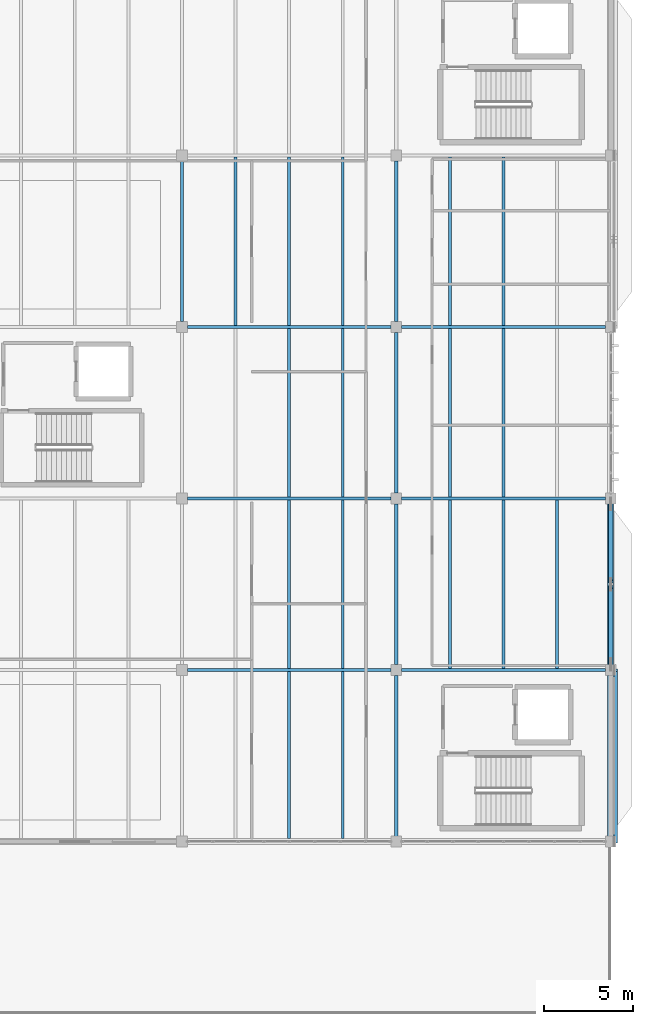
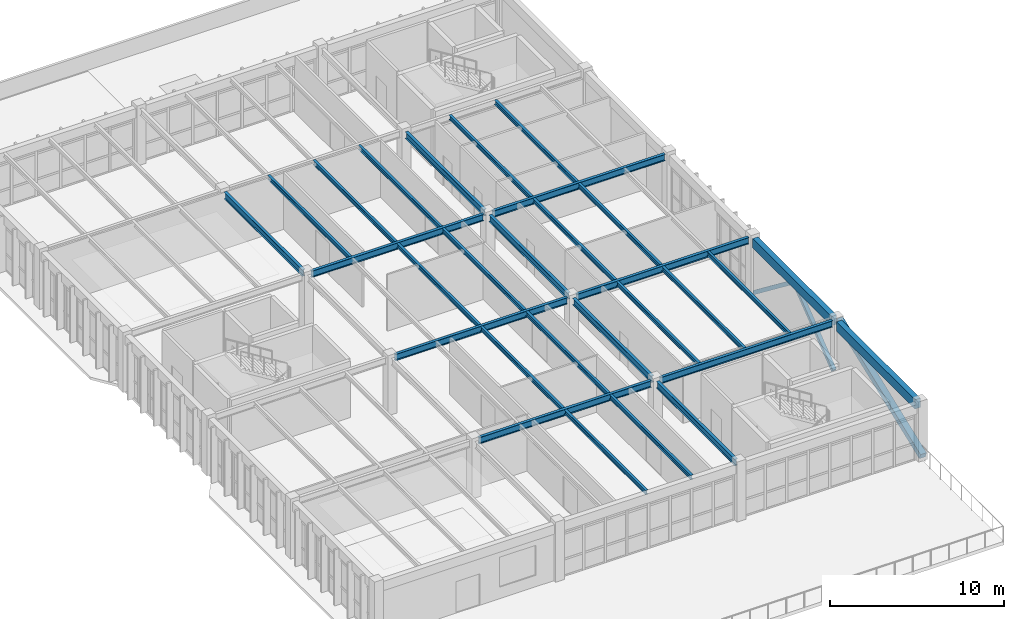
# One storey, part 13 of 37: 29 beams, 3 members.
"""IFC4 building model written with IfcOpenShell, lengths in metres."""

from ifc_helpers import new_model, si_unit, direction, frame, origin, origin_2d, place, context, subcontext, project, spatial, rectangle, hollow_rectangle, i_section, extrude, material, material_profile, profile_set, type_object, element, save


model = new_model("IFC4")

# Units and contexts
model_context = context("Model", 3, precision=1e-05, world=origin(), true_north=direction((0.0, 1.0)))
body_context = subcontext(model_context, "Body", "Model", "MODEL_VIEW")
ifc_project = project(units=[si_unit("LENGTHUNIT", "METRE"), si_unit("AREAUNIT", "SQUARE_METRE"), si_unit("VOLUMEUNIT", "CUBIC_METRE"), si_unit("PLANEANGLEUNIT", "RADIAN"), si_unit("MASSUNIT", "GRAM", prefix="KILO")], contexts=[model_context])

# Site, building, storey
site_placement = place(None, origin())
site = spatial("IfcSite", under=ifc_project, at=site_placement, CompositionType="ELEMENT")
building_placement = place(site_placement, origin())
building = spatial("IfcBuilding", under=site, at=building_placement, Name="Pandanus Reach Market Hall", CompositionType="ELEMENT")
storey_placement = place(building_placement, frame((0.0, 0.0, 14.39990234375)))
storey = spatial("IfcBuildingStorey", under=building, at=storey_placement, Name="L03", CompositionType="ELEMENT", Elevation=14.39990234375)

# Beams
ifc_material_1 = material(Name="Concrete N40 (40 MPa)", Category="concrete")
ifc_material_profile_1 = material_profile(ifc_material_1, rectangle(XDim=0.35009765625, YDim=0.64990234375, at=origin_2d()), Name="RC350x650", Category="LoadBearing")
ifc_profile_set_1 = profile_set([ifc_material_profile_1], Name="Concrete N40 (40 MPa)")
beam_type_1 = type_object("IfcBeamType", Name="BM-RC350-E", PredefinedType="SPANDREL", material=ifc_profile_set_1)
beam_1_placement = place(storey_placement, frame((180.0, 29.097900390625, 3.635009765625), z_axis=(0.0, 1.0, 0.0), x_axis=(-1.0, 0.0, 0.0)))
element("IfcBeam", 1, at=beam_1_placement, inside=storey, type_object=beam_type_1, Name="Framing beam BM-RC350-E L03.569", PredefinedType="SPANDREL", context=body_context, shape_type="SweptSolid", body=[
    extrude(rectangle(XDim=0.35009765625, YDim=0.64990234375, at=origin_2d()), origin(), (0.0, 0.0, 1.0), 9.004150390625),
])
beam_2_placement = place(storey_placement, frame((180.0, 38.697998046875, 3.635009765625), z_axis=(0.0, 1.0, 0.0), x_axis=(-1.0, 0.0, 0.0)))
element("IfcBeam", 2, at=beam_2_placement, inside=storey, type_object=beam_type_1, Name="Framing beam BM-RC350-E L03.570", PredefinedType="SPANDREL", context=body_context, shape_type="SweptSolid", body=[
    extrude(rectangle(XDim=0.35009765625, YDim=0.64990234375, at=origin_2d()), origin(), (0.0, 0.0, 1.0), 9.00390625),
])
ifc_material_2 = material(Name="Steel Grade 350 (350 MPa)", Category="steel")
ifc_material_profile_2 = material_profile(ifc_material_2, i_section(OverallWidth=0.18994140625, OverallDepth=0.45703125, WebThickness=0.009033203125, FlangeThickness=0.014404296875, at=origin_2d()), Name="460UB74.6", Category="LoadBearing")
ifc_profile_set_2 = profile_set([ifc_material_profile_2], Name="Steel Grade 350 (350 MPa)")
beam_type_2 = type_object("IfcBeamType", Name="BM-UB460-I", PredefinedType="BEAM", material=ifc_profile_set_2)
for number, where, z_axis, x_axis, name in (
    (3, (156.298095703125, 38.39990234375, 3.731201171875), (1.0, 0.0, 0.0), (0.0, 1.0, 0.0), "Framing beam BM-UB460-I L03.540"),
    (4, (168.298095703125, 38.39990234375, 3.731201171875), (1.0, 0.0, 0.0), (0.0, 1.0, 0.0), "Framing beam BM-UB460-I L03.541"),
    (5, (156.298095703125, 48.0, 3.731201171875), (1.0, 0.0, 0.0), (0.0, 1.0, 0.0), "Framing beam BM-UB460-I L03.543"),
    (6, (168.298095703125, 48.0, 3.731201171875), (1.0, 0.0, 0.0), (0.0, 1.0, 0.0), "Framing beam BM-UB460-I L03.544"),
    (7, (156.298095703125, 57.60009765625, 3.731201171875), (1.0, 0.0, 0.0), (0.0, 1.0, 0.0), "Framing beam BM-UB460-I L03.546"),
    (8, (168.298095703125, 57.60009765625, 3.731201171875), (1.0, 0.0, 0.0), (0.0, 1.0, 0.0), "Framing beam BM-UB460-I L03.547"),
):
    element("IfcBeam", number, at=place(storey_placement, frame(where, z_axis=z_axis, x_axis=x_axis)), inside=storey, type_object=beam_type_2, Name=name, PredefinedType="BEAM", context=body_context, shape_type="SweptSolid", body=[
        extrude(i_section(OverallWidth=0.18994140625, OverallDepth=0.45703125, WebThickness=0.009033203125, FlangeThickness=0.014404296875, at=origin_2d()), origin(), (0.0, 0.0, 1.0), 11.40380859375),
    ])
for number, where, z_axis, x_axis, name in (
    (9, (156.0, 57.89794921875, 3.726318359375), (0.0, 1.0, 0.0), (-1.0, 0.0, 0.0), "Framing beam BM-UB460-I L03.562"),
    (10, (168.0, 29.097900390625, 3.731201171875), (0.0, 1.0, 0.0), (-1.0, 0.0, 0.0), "Framing beam BM-UB460-I L03.564"),
):
    element("IfcBeam", number, at=place(storey_placement, frame(where, z_axis=z_axis, x_axis=x_axis)), inside=storey, type_object=beam_type_2, Name=name, PredefinedType="BEAM", context=body_context, shape_type="SweptSolid", body=[
        extrude(i_section(OverallWidth=0.18994140625, OverallDepth=0.45703125, WebThickness=0.009033203125, FlangeThickness=0.014404296875, at=origin_2d()), origin(), (0.0, 0.0, 1.0), 9.004150390625),
    ])
for number, where, z_axis, x_axis, name in (
    (11, (168.0, 38.697998046875, 3.731201171875), (0.0, 1.0, 0.0), (-1.0, 0.0, 0.0), "Framing beam BM-UB460-I L03.565"),
    (12, (168.0, 48.298095703125, 3.731201171875), (0.0, 1.0, 0.0), (-1.0, 0.0, 0.0), "Framing beam BM-UB460-I L03.566"),
):
    element("IfcBeam", number, at=place(storey_placement, frame(where, z_axis=z_axis, x_axis=x_axis)), inside=storey, type_object=beam_type_2, Name=name, PredefinedType="BEAM", context=body_context, shape_type="SweptSolid", body=[
        extrude(i_section(OverallWidth=0.18994140625, OverallDepth=0.45703125, WebThickness=0.009033203125, FlangeThickness=0.014404296875, at=origin_2d()), origin(), (0.0, 0.0, 1.0), 9.00390625),
    ])
beam_3_placement = place(storey_placement, frame((168.0, 57.89794921875, 3.731201171875), z_axis=(0.0, 1.0, 0.0), x_axis=(-1.0, 0.0, 0.0)))
element("IfcBeam", 13, at=beam_3_placement, inside=storey, type_object=beam_type_2, Name="Framing beam BM-UB460-I L03.567", PredefinedType="BEAM", context=body_context, shape_type="SweptSolid", body=[
    extrude(i_section(OverallWidth=0.18994140625, OverallDepth=0.45703125, WebThickness=0.009033203125, FlangeThickness=0.014404296875, at=origin_2d()), origin(), (0.0, 0.0, 1.0), 9.004150390625),
])

# Members
ifc_material_profile_3 = material_profile(ifc_material_2, hollow_rectangle(XDim=0.25, YDim=0.25, WallThickness=0.010009765625, at=origin_2d()), Name="250x250x10.0SHS", Category="LoadBearing")
ifc_profile_set_3 = profile_set([ifc_material_profile_3], Name="Steel Grade 350 (350 MPa)")
member_type_1 = type_object("IfcMemberType", Name="BR-SHS250-E", PredefinedType="BRACE", material=ifc_profile_set_3)
for number, where, z_axis, x_axis, name in (
    (14, (180.0, 38.68994140625, 0.150146484375), (0.0, 0.792982042501, 0.609245008408), (-1.0, 0.0, 0.0), "Chevron brace BR-SHS250-E 15A"),
    (15, (180.0, 47.7099609375, 0.150146484375), (0.0, -0.79296556038, 0.609266460632), (1.0, 0.0, 0.0), "Chevron brace BR-SHS250-E 15B"),
):
    element("IfcMember", number, at=place(storey_placement, frame(where, z_axis=z_axis, x_axis=x_axis)), inside=storey, type_object=member_type_1, Name=name, PredefinedType="BRACE", context=body_context, shape_type="SweptSolid", body=[
        extrude(hollow_rectangle(XDim=0.25, YDim=0.25, WallThickness=0.010009765625, at=origin_2d()), origin(), (0.0, 0.0, 1.0), 5.498291015625),
    ])

# Beams
ifc_material_profile_4 = material_profile(ifc_material_2, i_section(OverallWidth=0.1650390625, OverallDepth=0.303955078125, WebThickness=0.006103515625, FlangeThickness=0.01025390625, at=origin_2d()), Name="310UB40.4", Category="LoadBearing")
ifc_profile_set_4 = profile_set([ifc_material_profile_4], Name="Steel Grade 350 (350 MPa)")
beam_type_3 = type_object("IfcBeamType", Name="JS-UB310-I", PredefinedType="JOIST", material=ifc_profile_set_4)
for number, where, z_axis, x_axis, name in (
    (16, (162.0, 28.972900390625, 3.8076171875), (0.0, 1.0, 0.0), (-1.0, 0.0, 0.0), "Secondary joist JS-UB310-I L03.587"),
    (17, (165.0, 28.972900390625, 3.8076171875), (0.0, 1.0, 0.0), (-1.0, 0.0, 0.0), "Secondary joist JS-UB310-I L03.588"),
):
    element("IfcBeam", number, at=place(storey_placement, frame(where, z_axis=z_axis, x_axis=x_axis)), inside=storey, type_object=beam_type_3, Name=name, PredefinedType="JOIST", context=body_context, shape_type="SweptSolid", body=[
        extrude(i_section(OverallWidth=0.1650390625, OverallDepth=0.303955078125, WebThickness=0.006103515625, FlangeThickness=0.01025390625, at=origin_2d()), origin(), (0.0, 0.0, 1.0), 9.333984375),
    ])
for number, where, z_axis, x_axis, name in (
    (18, (162.0, 38.492919921875, 3.8076171875), (0.0, 1.0, 0.0), (-1.0, 0.0, 0.0), "Secondary joist JS-UB310-I L03.590"),
    (19, (165.0, 38.492919921875, 3.8076171875), (0.0, 1.0, 0.0), (-1.0, 0.0, 0.0), "Secondary joist JS-UB310-I L03.591"),
    (20, (162.0, 48.093017578125, 3.8076171875), (0.0, 1.0, 0.0), (-1.0, 0.0, 0.0), "Secondary joist JS-UB310-I L03.593"),
    (21, (165.0, 48.093017578125, 3.8076171875), (0.0, 1.0, 0.0), (-1.0, 0.0, 0.0), "Secondary joist JS-UB310-I L03.594"),
):
    element("IfcBeam", number, at=place(storey_placement, frame(where, z_axis=z_axis, x_axis=x_axis)), inside=storey, type_object=beam_type_3, Name=name, PredefinedType="JOIST", context=body_context, shape_type="SweptSolid", body=[
        extrude(i_section(OverallWidth=0.1650390625, OverallDepth=0.303955078125, WebThickness=0.006103515625, FlangeThickness=0.01025390625, at=origin_2d()), origin(), (0.0, 0.0, 1.0), 9.4140625),
    ])
for number, where, z_axis, x_axis, name in (
    (22, (159.0, 57.693115234375, 3.8076171875), (0.0, 1.0, 0.0), (-1.0, 0.0, 0.0), "Secondary joist JS-UB310-I L03.595"),
    (23, (162.0, 57.693115234375, 3.8076171875), (0.0, 1.0, 0.0), (-1.0, 0.0, 0.0), "Secondary joist JS-UB310-I L03.596"),
    (24, (165.0, 57.693115234375, 3.8076171875), (0.0, 1.0, 0.0), (-1.0, 0.0, 0.0), "Secondary joist JS-UB310-I L03.597"),
):
    element("IfcBeam", number, at=place(storey_placement, frame(where, z_axis=z_axis, x_axis=x_axis)), inside=storey, type_object=beam_type_3, Name=name, PredefinedType="JOIST", context=body_context, shape_type="SweptSolid", body=[
        extrude(i_section(OverallWidth=0.1650390625, OverallDepth=0.303955078125, WebThickness=0.006103515625, FlangeThickness=0.01025390625, at=origin_2d()), origin(), (0.0, 0.0, 1.0), 9.413818359375),
    ])
for number, where, z_axis, x_axis, name in (
    (25, (171.0, 38.492919921875, 3.8076171875), (0.0, 1.0, 0.0), (-1.0, 0.0, 0.0), "Secondary joist JS-UB310-I L03.601"),
    (26, (174.0, 38.492919921875, 3.8076171875), (0.0, 1.0, 0.0), (-1.0, 0.0, 0.0), "Secondary joist JS-UB310-I L03.602"),
    (27, (177.0, 38.492919921875, 3.8076171875), (0.0, 1.0, 0.0), (-1.0, 0.0, 0.0), "Secondary joist JS-UB310-I L03.603"),
    (28, (171.0, 48.093017578125, 3.8076171875), (0.0, 1.0, 0.0), (-1.0, 0.0, 0.0), "Secondary joist JS-UB310-I L03.604"),
    (29, (174.0, 48.093017578125, 3.8076171875), (0.0, 1.0, 0.0), (-1.0, 0.0, 0.0), "Secondary joist JS-UB310-I L03.605"),
):
    element("IfcBeam", number, at=place(storey_placement, frame(where, z_axis=z_axis, x_axis=x_axis)), inside=storey, type_object=beam_type_3, Name=name, PredefinedType="JOIST", context=body_context, shape_type="SweptSolid", body=[
        extrude(i_section(OverallWidth=0.1650390625, OverallDepth=0.303955078125, WebThickness=0.006103515625, FlangeThickness=0.01025390625, at=origin_2d()), origin(), (0.0, 0.0, 1.0), 9.4140625),
    ])
for number, where, z_axis, x_axis, name in (
    (30, (171.0, 57.693115234375, 3.8076171875), (0.0, 1.0, 0.0), (-1.0, 0.0, 0.0), "Secondary joist JS-UB310-I L03.607"),
    (31, (174.0, 57.693115234375, 3.8076171875), (0.0, 1.0, 0.0), (-1.0, 0.0, 0.0), "Secondary joist JS-UB310-I L03.608"),
):
    element("IfcBeam", number, at=place(storey_placement, frame(where, z_axis=z_axis, x_axis=x_axis)), inside=storey, type_object=beam_type_3, Name=name, PredefinedType="JOIST", context=body_context, shape_type="SweptSolid", body=[
        extrude(i_section(OverallWidth=0.1650390625, OverallDepth=0.303955078125, WebThickness=0.006103515625, FlangeThickness=0.01025390625, at=origin_2d()), origin(), (0.0, 0.0, 1.0), 9.413818359375),
    ])

# Member
ifc_material_3 = material(Name="Concrete N50 (50 MPa)", Category="concrete")
ifc_material_profile_5 = material_profile(ifc_material_3, rectangle(XDim=0.39990234375, YDim=0.39990234375, at=origin_2d()), Name="RC400x400", Category="LoadBearing")
ifc_profile_set_5 = profile_set([ifc_material_profile_5], Name="Concrete N50 (50 MPa)")
member_type_2 = type_object("IfcMemberType", Name="VS-RC400-E", PredefinedType="STRUT", material=ifc_profile_set_5)
member_placement = place(storey_placement, frame((180.179931640625, 28.800048828125, 0.10009765625), z_axis=(0.0, 0.93309462138, 0.359630960225), x_axis=(-1.0, 0.0, 0.0)))
element("IfcMember", 32, at=member_placement, inside=storey, type_object=member_type_2, Name="Sculpted concrete diagrid rib 5", PredefinedType="STRUT", context=body_context, shape_type="SweptSolid", body=[
    extrude(rectangle(XDim=0.39990234375, YDim=0.39990234375, at=origin_2d()), origin(), (0.0, 0.0, 1.0), 10.2880859375),
])

save(model, "model.ifc")
